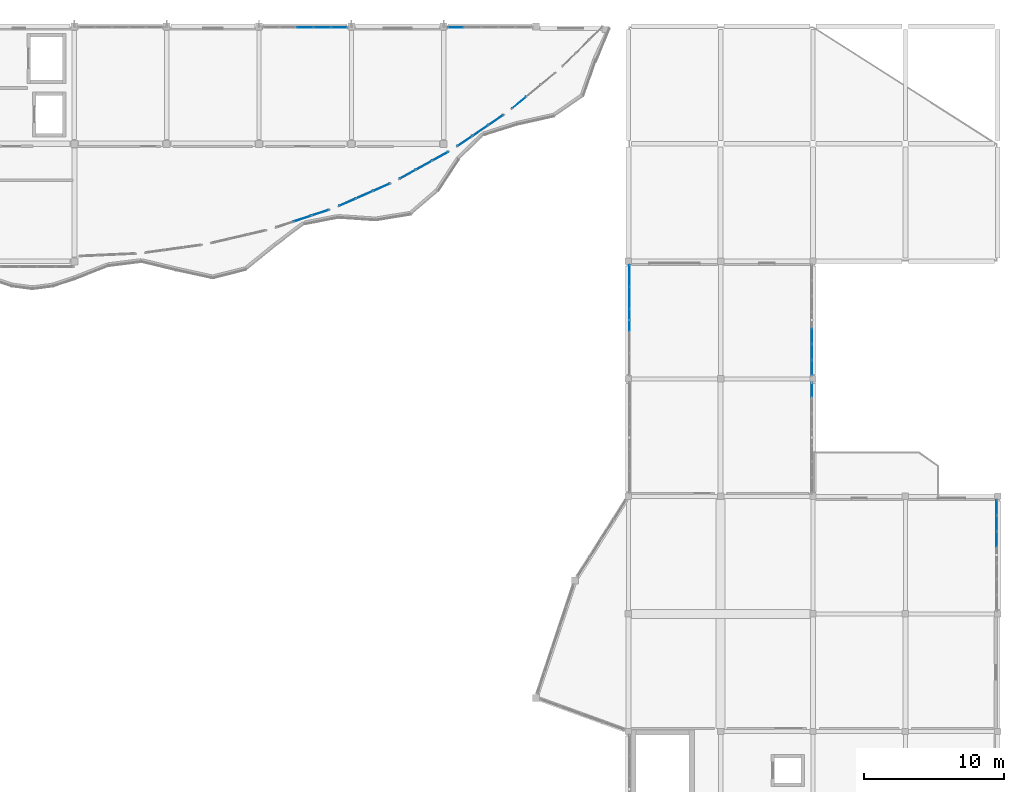
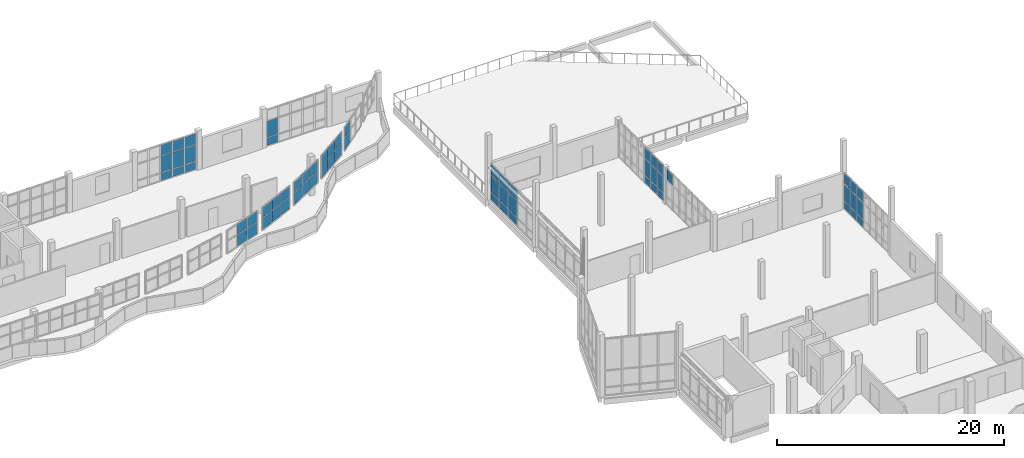
# One storey, part 53 of 78: 63 plates, 11 elements without a shape of their own.
"""IFC4 building model written with IfcOpenShell, lengths in metres."""

from ifc_helpers import new_model, si_unit, direction, frame, origin, origin_2d, place, context, subcontext, project, spatial, rectangle, extrude, material, layer, layer_set, type_object, element, aggregate, save


model = new_model("IFC4")

# Units and contexts
model_context = context("Model", 3, precision=1e-05, world=origin(), true_north=direction((0.0, 1.0)))
body_context = subcontext(model_context, "Body", "Model", "MODEL_VIEW")
ifc_project = project(units=[si_unit("LENGTHUNIT", "METRE"), si_unit("AREAUNIT", "SQUARE_METRE"), si_unit("VOLUMEUNIT", "CUBIC_METRE"), si_unit("PLANEANGLEUNIT", "RADIAN"), si_unit("MASSUNIT", "GRAM", prefix="KILO")], contexts=[model_context])

# Site, building, storey
site_placement = place(None, origin())
site = spatial("IfcSite", under=ifc_project, at=site_placement, CompositionType="ELEMENT")
building_placement = place(site_placement, origin())
building = spatial("IfcBuilding", under=site, at=building_placement, Name="Qaldarim Faculty of Natural and Applied Sciences", CompositionType="ELEMENT")
storey_placement = place(building_placement, frame((0.0, 0.0, 18.60009765625)))
storey = spatial("IfcBuildingStorey", under=building, at=storey_placement, Name="L04", CompositionType="ELEMENT", Elevation=18.60009765625)

# Curtain wall, plates
ifc_material_1 = material(Name="Anodised aluminium AW-6063", Category="aluminium")
curtain_wall_type_1 = type_object("IfcCurtainWallType", Name="CurtainWallSystem-M1200", PredefinedType="USERDEFINED", material=ifc_material_1)
curtain_wall_1_placement = place(storey_placement, origin())
curtain_wall_1 = element("IfcCurtainWall", 1, at=curtain_wall_1_placement, inside=storey, type_object=curtain_wall_type_1, Name="Curtain wall CW-L04-N-X20Y14", ObjectType="STICK CURTAIN WALL", PredefinedType="USERDEFINED")
ifc_material_2 = material(Name="Insulated low-e double glazing", Category="glass")
ifc_layer_1 = layer(ifc_material_2, 0.031982421875)
ifc_layer_set_1 = layer_set([ifc_layer_1], Name="Insulated low-e double glazing")
plate_type_1 = type_object("IfcPlateType", Name="SolarControlGlazingPanel-32", PredefinedType="CURTAIN_PANEL", material=ifc_layer_set_1)
plate_1_placement = place(storey_placement, frame((131.12646484375, 117.52001953125, 0.06982421875), z_axis=(0.0, 0.0, 1.0), x_axis=(-1.0, 0.0, 0.0)))
plate_1 = element("IfcPlate", 2, at=plate_1_placement, type_object=plate_type_1, Name="Glazed panel 1-1 of CW-L04-N-X20Y14", PredefinedType="CURTAIN_PANEL", context=body_context, shape_type="SweptSolid", body=[
    extrude(rectangle(XDim=1.116943359375, YDim=0.031982421875, at=origin_2d()), origin(), (0.0, 0.0, 1.0), 0.794921875),
])
plate_2_placement = place(storey_placement, frame((131.12646484375, 117.52001953125, 0.934814453125), z_axis=(0.0, 0.0, 1.0), x_axis=(-1.0, 0.0, 0.0)))
plate_2 = element("IfcPlate", 3, at=plate_2_placement, type_object=plate_type_1, Name="Glazed panel 1-2 of CW-L04-N-X20Y14", PredefinedType="CURTAIN_PANEL", context=body_context, shape_type="SweptSolid", body=[
    extrude(rectangle(XDim=1.116943359375, YDim=0.031982421875, at=origin_2d()), origin(), (0.0, 0.0, 1.0), 1.72998046875),
])
plate_3_placement = place(storey_placement, frame((131.12646484375, 117.52001953125, 2.73486328125), z_axis=(0.0, 0.0, 1.0), x_axis=(-1.0, 0.0, 0.0)))
plate_3 = element("IfcPlate", 4, at=plate_3_placement, type_object=plate_type_1, Name="Glazed panel 1-3 of CW-L04-N-X20Y14", PredefinedType="CURTAIN_PANEL", context=body_context, shape_type="SweptSolid", body=[
    extrude(rectangle(XDim=1.116943359375, YDim=0.031982421875, at=origin_2d()), origin(), (0.0, 0.0, 1.0), 1.135009765625),
])
plate_4_placement = place(storey_placement, frame((129.922119140625, 117.52001953125, 0.06982421875), z_axis=(0.0, 0.0, 1.0), x_axis=(-1.0, 0.0, 0.0)))
plate_4 = element("IfcPlate", 5, at=plate_4_placement, type_object=plate_type_1, Name="Glazed panel 2-1 of CW-L04-N-X20Y14", PredefinedType="CURTAIN_PANEL", context=body_context, shape_type="SweptSolid", body=[
    extrude(rectangle(XDim=1.152099609375, YDim=0.031982421875, at=origin_2d()), origin(), (0.0, 0.0, 1.0), 0.794921875),
])
plate_5_placement = place(storey_placement, frame((129.922119140625, 117.52001953125, 0.934814453125), z_axis=(0.0, 0.0, 1.0), x_axis=(-1.0, 0.0, 0.0)))
plate_5 = element("IfcPlate", 6, at=plate_5_placement, type_object=plate_type_1, Name="Glazed panel 2-2 of CW-L04-N-X20Y14", PredefinedType="CURTAIN_PANEL", context=body_context, shape_type="SweptSolid", body=[
    extrude(rectangle(XDim=1.152099609375, YDim=0.031982421875, at=origin_2d()), origin(), (0.0, 0.0, 1.0), 1.72998046875),
])
plate_6_placement = place(storey_placement, frame((129.922119140625, 117.52001953125, 2.73486328125), z_axis=(0.0, 0.0, 1.0), x_axis=(-1.0, 0.0, 0.0)))
plate_6 = element("IfcPlate", 7, at=plate_6_placement, type_object=plate_type_1, Name="Glazed panel 2-3 of CW-L04-N-X20Y14", PredefinedType="CURTAIN_PANEL", context=body_context, shape_type="SweptSolid", body=[
    extrude(rectangle(XDim=1.152099609375, YDim=0.031982421875, at=origin_2d()), origin(), (0.0, 0.0, 1.0), 1.135009765625),
])
plate_7_placement = place(storey_placement, frame((128.699951171875, 117.52001953125, 0.06982421875), z_axis=(0.0, 0.0, 1.0), x_axis=(-1.0, 0.0, 0.0)))
plate_7 = element("IfcPlate", 8, at=plate_7_placement, type_object=plate_type_1, Name="Glazed panel 3-1 of CW-L04-N-X20Y14", PredefinedType="CURTAIN_PANEL", context=body_context, shape_type="SweptSolid", body=[
    extrude(rectangle(XDim=1.152099609375, YDim=0.031982421875, at=origin_2d()), origin(), (0.0, 0.0, 1.0), 0.794921875),
])
plate_8_placement = place(storey_placement, frame((128.699951171875, 117.52001953125, 0.934814453125), z_axis=(0.0, 0.0, 1.0), x_axis=(-1.0, 0.0, 0.0)))
plate_8 = element("IfcPlate", 9, at=plate_8_placement, type_object=plate_type_1, Name="Glazed panel 3-2 of CW-L04-N-X20Y14", PredefinedType="CURTAIN_PANEL", context=body_context, shape_type="SweptSolid", body=[
    extrude(rectangle(XDim=1.152099609375, YDim=0.031982421875, at=origin_2d()), origin(), (0.0, 0.0, 1.0), 1.72998046875),
])
plate_9_placement = place(storey_placement, frame((128.699951171875, 117.52001953125, 2.73486328125), z_axis=(0.0, 0.0, 1.0), x_axis=(-1.0, 0.0, 0.0)))
plate_9 = element("IfcPlate", 10, at=plate_9_placement, type_object=plate_type_1, Name="Glazed panel 3-3 of CW-L04-N-X20Y14", PredefinedType="CURTAIN_PANEL", context=body_context, shape_type="SweptSolid", body=[
    extrude(rectangle(XDim=1.152099609375, YDim=0.031982421875, at=origin_2d()), origin(), (0.0, 0.0, 1.0), 1.135009765625),
])
aggregate(curtain_wall_1, [plate_1, plate_2, plate_3, plate_4, plate_5, plate_6, plate_7, plate_8, plate_9])

curtain_wall_2_placement = place(storey_placement, origin())
curtain_wall_2 = element("IfcCurtainWall", 11, at=curtain_wall_2_placement, inside=storey, type_object=curtain_wall_type_1, Name="Curtain wall CW-L04-N-X22Y14", ObjectType="STICK CURTAIN WALL", PredefinedType="USERDEFINED")
plate_10_placement = place(storey_placement, frame((139.473388671875, 117.52001953125, 0.06982421875), z_axis=(0.0, 0.0, 1.0), x_axis=(-1.0, 0.0, 0.0)))
plate_10 = element("IfcPlate", 12, at=plate_10_placement, type_object=plate_type_1, Name="Glazed panel 5-1 of CW-L04-N-X22Y14", PredefinedType="CURTAIN_PANEL", context=body_context, shape_type="SweptSolid", body=[
    extrude(rectangle(XDim=1.116943359375, YDim=0.031982421875, at=origin_2d()), origin(), (0.0, 0.0, 1.0), 0.794921875),
])
plate_11_placement = place(storey_placement, frame((139.473388671875, 117.52001953125, 0.934814453125), z_axis=(0.0, 0.0, 1.0), x_axis=(-1.0, 0.0, 0.0)))
plate_11 = element("IfcPlate", 13, at=plate_11_placement, type_object=plate_type_1, Name="Glazed panel 5-2 of CW-L04-N-X22Y14", PredefinedType="CURTAIN_PANEL", context=body_context, shape_type="SweptSolid", body=[
    extrude(rectangle(XDim=1.116943359375, YDim=0.031982421875, at=origin_2d()), origin(), (0.0, 0.0, 1.0), 1.72998046875),
])
aggregate(curtain_wall_2, [plate_10, plate_11])

# Curtain wall, plate
curtain_wall_3_placement = place(storey_placement, origin())
curtain_wall_3 = element("IfcCurtainWall", 14, at=curtain_wall_3_placement, inside=storey, type_object=curtain_wall_type_1, Name="Curtain wall CW-L04-E-X25Y11", ObjectType="STICK CURTAIN WALL", PredefinedType="USERDEFINED")
plate_12_placement = place(storey_placement, frame((164.919921875, 91.593994140625, 2.73486328125), z_axis=(0.0, 0.0, 1.0), x_axis=(0.0, 1.0, 0.0)))
plate_12 = element("IfcPlate", 15, at=plate_12_placement, type_object=plate_type_1, Name="Glazed panel 7-3 of CW-L04-E-X25Y11", PredefinedType="CURTAIN_PANEL", context=body_context, shape_type="SweptSolid", body=[
    extrude(rectangle(XDim=1.031982421875, YDim=0.031982421875, at=origin_2d()), origin(), (0.0, 0.0, 1.0), 1.135009765625),
])
aggregate(curtain_wall_3, [plate_12])

# Curtain wall, plates
curtain_wall_4_placement = place(storey_placement, origin())
curtain_wall_4 = element("IfcCurtainWall", 16, at=curtain_wall_4_placement, inside=storey, type_object=curtain_wall_type_1, Name="Curtain wall CW-L04-E-X25Y12", ObjectType="STICK CURTAIN WALL", PredefinedType="USERDEFINED")
plate_13_placement = place(storey_placement, frame((164.919921875, 93.2060546875, 0.06982421875), z_axis=(0.0, 0.0, 1.0), x_axis=(0.0, 1.0, 0.0)))
plate_13 = element("IfcPlate", 17, at=plate_13_placement, type_object=plate_type_1, Name="Glazed panel 1-1 of CW-L04-E-X25Y12", PredefinedType="CURTAIN_PANEL", context=body_context, shape_type="SweptSolid", body=[
    extrude(rectangle(XDim=1.031982421875, YDim=0.031982421875, at=origin_2d()), origin(), (0.0, 0.0, 1.0), 0.794921875),
])
plate_14_placement = place(storey_placement, frame((164.919921875, 93.2060546875, 0.934814453125), z_axis=(0.0, 0.0, 1.0), x_axis=(0.0, 1.0, 0.0)))
plate_14 = element("IfcPlate", 18, at=plate_14_placement, type_object=plate_type_1, Name="Glazed panel 1-2 of CW-L04-E-X25Y12", PredefinedType="CURTAIN_PANEL", context=body_context, shape_type="SweptSolid", body=[
    extrude(rectangle(XDim=1.031982421875, YDim=0.031982421875, at=origin_2d()), origin(), (0.0, 0.0, 1.0), 1.72998046875),
])
plate_15_placement = place(storey_placement, frame((164.919921875, 93.2060546875, 2.73486328125), z_axis=(0.0, 0.0, 1.0), x_axis=(0.0, 1.0, 0.0)))
plate_15 = element("IfcPlate", 19, at=plate_15_placement, type_object=plate_type_1, Name="Glazed panel 1-3 of CW-L04-E-X25Y12", PredefinedType="CURTAIN_PANEL", context=body_context, shape_type="SweptSolid", body=[
    extrude(rectangle(XDim=1.031982421875, YDim=0.031982421875, at=origin_2d()), origin(), (0.0, 0.0, 1.0), 1.135009765625),
])
plate_16_placement = place(storey_placement, frame((164.919921875, 94.32568359375, 0.06982421875), z_axis=(0.0, 0.0, 1.0), x_axis=(0.0, 1.0, 0.0)))
plate_16 = element("IfcPlate", 20, at=plate_16_placement, type_object=plate_type_1, Name="Glazed panel 2-1 of CW-L04-E-X25Y12", PredefinedType="CURTAIN_PANEL", context=body_context, shape_type="SweptSolid", body=[
    extrude(rectangle(XDim=1.067138671875, YDim=0.031982421875, at=origin_2d()), origin(), (0.0, 0.0, 1.0), 0.794921875),
])
plate_17_placement = place(storey_placement, frame((164.919921875, 94.32568359375, 0.934814453125), z_axis=(0.0, 0.0, 1.0), x_axis=(0.0, 1.0, 0.0)))
plate_17 = element("IfcPlate", 21, at=plate_17_placement, type_object=plate_type_1, Name="Glazed panel 2-2 of CW-L04-E-X25Y12", PredefinedType="CURTAIN_PANEL", context=body_context, shape_type="SweptSolid", body=[
    extrude(rectangle(XDim=1.067138671875, YDim=0.031982421875, at=origin_2d()), origin(), (0.0, 0.0, 1.0), 1.72998046875),
])
plate_18_placement = place(storey_placement, frame((164.919921875, 94.32568359375, 2.73486328125), z_axis=(0.0, 0.0, 1.0), x_axis=(0.0, 1.0, 0.0)))
plate_18 = element("IfcPlate", 22, at=plate_18_placement, type_object=plate_type_1, Name="Glazed panel 2-3 of CW-L04-E-X25Y12", PredefinedType="CURTAIN_PANEL", context=body_context, shape_type="SweptSolid", body=[
    extrude(rectangle(XDim=1.067138671875, YDim=0.031982421875, at=origin_2d()), origin(), (0.0, 0.0, 1.0), 1.135009765625),
])
plate_19_placement = place(storey_placement, frame((164.919921875, 95.462890625, 0.06982421875), z_axis=(0.0, 0.0, 1.0), x_axis=(0.0, 1.0, 0.0)))
plate_19 = element("IfcPlate", 23, at=plate_19_placement, type_object=plate_type_1, Name="Glazed panel 3-1 of CW-L04-E-X25Y12", PredefinedType="CURTAIN_PANEL", context=body_context, shape_type="SweptSolid", body=[
    extrude(rectangle(XDim=1.067138671875, YDim=0.031982421875, at=origin_2d()), origin(), (0.0, 0.0, 1.0), 0.794921875),
])
plate_20_placement = place(storey_placement, frame((164.919921875, 95.462890625, 0.934814453125), z_axis=(0.0, 0.0, 1.0), x_axis=(0.0, 1.0, 0.0)))
plate_20 = element("IfcPlate", 24, at=plate_20_placement, type_object=plate_type_1, Name="Glazed panel 3-2 of CW-L04-E-X25Y12", PredefinedType="CURTAIN_PANEL", context=body_context, shape_type="SweptSolid", body=[
    extrude(rectangle(XDim=1.067138671875, YDim=0.031982421875, at=origin_2d()), origin(), (0.0, 0.0, 1.0), 1.72998046875),
])
plate_21_placement = place(storey_placement, frame((164.919921875, 95.462890625, 2.73486328125), z_axis=(0.0, 0.0, 1.0), x_axis=(0.0, 1.0, 0.0)))
plate_21 = element("IfcPlate", 25, at=plate_21_placement, type_object=plate_type_1, Name="Glazed panel 3-3 of CW-L04-E-X25Y12", PredefinedType="CURTAIN_PANEL", context=body_context, shape_type="SweptSolid", body=[
    extrude(rectangle(XDim=1.067138671875, YDim=0.031982421875, at=origin_2d()), origin(), (0.0, 0.0, 1.0), 1.135009765625),
])
aggregate(curtain_wall_4, [plate_13, plate_14, plate_15, plate_16, plate_17, plate_18, plate_19, plate_20, plate_21])

curtain_wall_5_placement = place(storey_placement, origin())
curtain_wall_5 = element("IfcCurtainWall", 26, at=curtain_wall_5_placement, inside=storey, type_object=curtain_wall_type_1, Name="Curtain wall CW-L04-E-X27Y10", ObjectType="STICK CURTAIN WALL", PredefinedType="USERDEFINED")
plate_22_placement = place(storey_placement, frame((178.1201171875, 80.93701171875, 0.06982421875), z_axis=(0.0, 0.0, 1.0), x_axis=(0.0, 1.0, 0.0)))
plate_22 = element("IfcPlate", 27, at=plate_22_placement, type_object=plate_type_1, Name="Glazed panel 5-1 of CW-L04-E-X27Y10", PredefinedType="CURTAIN_PANEL", context=body_context, shape_type="SweptSolid", body=[
    extrude(rectangle(XDim=1.067138671875, YDim=0.031982421875, at=origin_2d()), origin(), (0.0, 0.0, 1.0), 0.794921875),
])
plate_23_placement = place(storey_placement, frame((178.1201171875, 80.93701171875, 0.934814453125), z_axis=(0.0, 0.0, 1.0), x_axis=(0.0, 1.0, 0.0)))
plate_23 = element("IfcPlate", 28, at=plate_23_placement, type_object=plate_type_1, Name="Glazed panel 5-2 of CW-L04-E-X27Y10", PredefinedType="CURTAIN_PANEL", context=body_context, shape_type="SweptSolid", body=[
    extrude(rectangle(XDim=1.067138671875, YDim=0.031982421875, at=origin_2d()), origin(), (0.0, 0.0, 1.0), 1.72998046875),
])
plate_24_placement = place(storey_placement, frame((178.1201171875, 80.93701171875, 2.73486328125), z_axis=(0.0, 0.0, 1.0), x_axis=(0.0, 1.0, 0.0)))
plate_24 = element("IfcPlate", 29, at=plate_24_placement, type_object=plate_type_1, Name="Glazed panel 5-3 of CW-L04-E-X27Y10", PredefinedType="CURTAIN_PANEL", context=body_context, shape_type="SweptSolid", body=[
    extrude(rectangle(XDim=1.067138671875, YDim=0.031982421875, at=origin_2d()), origin(), (0.0, 0.0, 1.0), 1.135009765625),
])
plate_25_placement = place(storey_placement, frame((178.1201171875, 82.07421875, 0.06982421875), z_axis=(0.0, 0.0, 1.0), x_axis=(0.0, 1.0, 0.0)))
plate_25 = element("IfcPlate", 30, at=plate_25_placement, type_object=plate_type_1, Name="Glazed panel 6-1 of CW-L04-E-X27Y10", PredefinedType="CURTAIN_PANEL", context=body_context, shape_type="SweptSolid", body=[
    extrude(rectangle(XDim=1.067138671875, YDim=0.031982421875, at=origin_2d()), origin(), (0.0, 0.0, 1.0), 0.794921875),
])
plate_26_placement = place(storey_placement, frame((178.1201171875, 82.07421875, 0.934814453125), z_axis=(0.0, 0.0, 1.0), x_axis=(0.0, 1.0, 0.0)))
plate_26 = element("IfcPlate", 31, at=plate_26_placement, type_object=plate_type_1, Name="Glazed panel 6-2 of CW-L04-E-X27Y10", PredefinedType="CURTAIN_PANEL", context=body_context, shape_type="SweptSolid", body=[
    extrude(rectangle(XDim=1.067138671875, YDim=0.031982421875, at=origin_2d()), origin(), (0.0, 0.0, 1.0), 1.72998046875),
])
plate_27_placement = place(storey_placement, frame((178.1201171875, 82.07421875, 2.73486328125), z_axis=(0.0, 0.0, 1.0), x_axis=(0.0, 1.0, 0.0)))
plate_27 = element("IfcPlate", 32, at=plate_27_placement, type_object=plate_type_1, Name="Glazed panel 6-3 of CW-L04-E-X27Y10", PredefinedType="CURTAIN_PANEL", context=body_context, shape_type="SweptSolid", body=[
    extrude(rectangle(XDim=1.067138671875, YDim=0.031982421875, at=origin_2d()), origin(), (0.0, 0.0, 1.0), 1.135009765625),
])
plate_28_placement = place(storey_placement, frame((178.1201171875, 83.19384765625, 0.06982421875), z_axis=(0.0, 0.0, 1.0), x_axis=(0.0, 1.0, 0.0)))
plate_28 = element("IfcPlate", 33, at=plate_28_placement, type_object=plate_type_1, Name="Glazed panel 7-1 of CW-L04-E-X27Y10", PredefinedType="CURTAIN_PANEL", context=body_context, shape_type="SweptSolid", body=[
    extrude(rectangle(XDim=1.031982421875, YDim=0.031982421875, at=origin_2d()), origin(), (0.0, 0.0, 1.0), 0.794921875),
])
plate_29_placement = place(storey_placement, frame((178.1201171875, 83.19384765625, 0.934814453125), z_axis=(0.0, 0.0, 1.0), x_axis=(0.0, 1.0, 0.0)))
plate_29 = element("IfcPlate", 34, at=plate_29_placement, type_object=plate_type_1, Name="Glazed panel 7-2 of CW-L04-E-X27Y10", PredefinedType="CURTAIN_PANEL", context=body_context, shape_type="SweptSolid", body=[
    extrude(rectangle(XDim=1.031982421875, YDim=0.031982421875, at=origin_2d()), origin(), (0.0, 0.0, 1.0), 1.72998046875),
])
plate_30_placement = place(storey_placement, frame((178.1201171875, 83.19384765625, 2.73486328125), z_axis=(0.0, 0.0, 1.0), x_axis=(0.0, 1.0, 0.0)))
plate_30 = element("IfcPlate", 35, at=plate_30_placement, type_object=plate_type_1, Name="Glazed panel 7-3 of CW-L04-E-X27Y10", PredefinedType="CURTAIN_PANEL", context=body_context, shape_type="SweptSolid", body=[
    extrude(rectangle(XDim=1.031982421875, YDim=0.031982421875, at=origin_2d()), origin(), (0.0, 0.0, 1.0), 1.135009765625),
])
aggregate(curtain_wall_5, [plate_22, plate_23, plate_24, plate_25, plate_26, plate_27, plate_28, plate_29, plate_30])

curtain_wall_type_2 = type_object("IfcCurtainWallType", Name="CurtainWallSystem-M1600", PredefinedType="USERDEFINED", material=ifc_material_1)
curtain_wall_6_placement = place(storey_placement, origin())
curtain_wall_6 = element("IfcCurtainWall", 36, at=curtain_wall_6_placement, inside=storey, type_object=curtain_wall_type_2, Name="Curtain wall CW-L04-W-X24Y12", ObjectType="UNITISED FACADE", PredefinedType="USERDEFINED")
ifc_layer_2 = layer(ifc_material_2, 0.028076171875)
ifc_layer_set_2 = layer_set([ifc_layer_2], Name="Insulated low-e double glazing")
plate_type_2 = type_object("IfcPlateType", Name="VisionGlazingPanel-28", PredefinedType="CURTAIN_PANEL", material=ifc_layer_set_2)
plate_31_placement = place(storey_placement, frame((151.8798828125, 99.76904296875, 0.059814453125), z_axis=(0.0, 0.0, 1.0), x_axis=(0.0, -1.0, 0.0)))
plate_31 = element("IfcPlate", 37, at=plate_31_placement, type_object=plate_type_2, Name="Glazed panel 1-1 of CW-L04-W-X24Y12", PredefinedType="CURTAIN_PANEL", context=body_context, shape_type="SweptSolid", body=[
    extrude(rectangle(XDim=1.501953125, YDim=0.028076171875, at=origin_2d()), origin(), (0.0, 0.0, 1.0), 0.81005859375),
])
plate_32_placement = place(storey_placement, frame((151.8798828125, 99.76904296875, 0.9296875), z_axis=(0.0, 0.0, 1.0), x_axis=(0.0, -1.0, 0.0)))
plate_32 = element("IfcPlate", 38, at=plate_32_placement, type_object=plate_type_2, Name="Glazed panel 1-2 of CW-L04-W-X24Y12", PredefinedType="CURTAIN_PANEL", context=body_context, shape_type="SweptSolid", body=[
    extrude(rectangle(XDim=1.501953125, YDim=0.028076171875, at=origin_2d()), origin(), (0.0, 0.0, 1.0), 1.739990234375),
])
plate_33_placement = place(storey_placement, frame((151.8798828125, 99.76904296875, 2.72998046875), z_axis=(0.0, 0.0, 1.0), x_axis=(0.0, -1.0, 0.0)))
plate_33 = element("IfcPlate", 39, at=plate_33_placement, type_object=plate_type_2, Name="Glazed panel 1-3 of CW-L04-W-X24Y12", PredefinedType="CURTAIN_PANEL", context=body_context, shape_type="SweptSolid", body=[
    extrude(rectangle(XDim=1.501953125, YDim=0.028076171875, at=origin_2d()), origin(), (0.0, 0.0, 1.0), 1.14990234375),
])
plate_34_placement = place(storey_placement, frame((151.8798828125, 98.19189453125, 0.059814453125), z_axis=(0.0, 0.0, 1.0), x_axis=(0.0, -1.0, 0.0)))
plate_34 = element("IfcPlate", 40, at=plate_34_placement, type_object=plate_type_2, Name="Glazed panel 2-1 of CW-L04-W-X24Y12", PredefinedType="CURTAIN_PANEL", context=body_context, shape_type="SweptSolid", body=[
    extrude(rectangle(XDim=1.531982421875, YDim=0.028076171875, at=origin_2d()), origin(), (0.0, 0.0, 1.0), 0.81005859375),
])
plate_35_placement = place(storey_placement, frame((151.8798828125, 98.19189453125, 0.9296875), z_axis=(0.0, 0.0, 1.0), x_axis=(0.0, -1.0, 0.0)))
plate_35 = element("IfcPlate", 41, at=plate_35_placement, type_object=plate_type_2, Name="Glazed panel 2-2 of CW-L04-W-X24Y12", PredefinedType="CURTAIN_PANEL", context=body_context, shape_type="SweptSolid", body=[
    extrude(rectangle(XDim=1.531982421875, YDim=0.028076171875, at=origin_2d()), origin(), (0.0, 0.0, 1.0), 1.739990234375),
])
plate_36_placement = place(storey_placement, frame((151.8798828125, 98.19189453125, 2.72998046875), z_axis=(0.0, 0.0, 1.0), x_axis=(0.0, -1.0, 0.0)))
plate_36 = element("IfcPlate", 42, at=plate_36_placement, type_object=plate_type_2, Name="Glazed panel 2-3 of CW-L04-W-X24Y12", PredefinedType="CURTAIN_PANEL", context=body_context, shape_type="SweptSolid", body=[
    extrude(rectangle(XDim=1.531982421875, YDim=0.028076171875, at=origin_2d()), origin(), (0.0, 0.0, 1.0), 1.14990234375),
])
plate_37_placement = place(storey_placement, frame((151.8798828125, 96.60009765625, 0.059814453125), z_axis=(0.0, 0.0, 1.0), x_axis=(0.0, -1.0, 0.0)))
plate_37 = element("IfcPlate", 43, at=plate_37_placement, type_object=plate_type_2, Name="Glazed panel 3-1 of CW-L04-W-X24Y12", PredefinedType="CURTAIN_PANEL", context=body_context, shape_type="SweptSolid", body=[
    extrude(rectangle(XDim=1.531982421875, YDim=0.028076171875, at=origin_2d()), origin(), (0.0, 0.0, 1.0), 0.81005859375),
])
plate_38_placement = place(storey_placement, frame((151.8798828125, 96.60009765625, 0.9296875), z_axis=(0.0, 0.0, 1.0), x_axis=(0.0, -1.0, 0.0)))
plate_38 = element("IfcPlate", 44, at=plate_38_placement, type_object=plate_type_2, Name="Glazed panel 3-2 of CW-L04-W-X24Y12", PredefinedType="CURTAIN_PANEL", context=body_context, shape_type="SweptSolid", body=[
    extrude(rectangle(XDim=1.531982421875, YDim=0.028076171875, at=origin_2d()), origin(), (0.0, 0.0, 1.0), 1.739990234375),
])
plate_39_placement = place(storey_placement, frame((151.8798828125, 96.60009765625, 2.72998046875), z_axis=(0.0, 0.0, 1.0), x_axis=(0.0, -1.0, 0.0)))
plate_39 = element("IfcPlate", 45, at=plate_39_placement, type_object=plate_type_2, Name="Glazed panel 3-3 of CW-L04-W-X24Y12", PredefinedType="CURTAIN_PANEL", context=body_context, shape_type="SweptSolid", body=[
    extrude(rectangle(XDim=1.531982421875, YDim=0.028076171875, at=origin_2d()), origin(), (0.0, 0.0, 1.0), 1.14990234375),
])
aggregate(curtain_wall_6, [plate_31, plate_32, plate_33, plate_34, plate_35, plate_36, plate_37, plate_38, plate_39])

curtain_wall_type_3 = type_object("IfcCurtainWallType", Name="CurtainWallSystem-M1400", PredefinedType="USERDEFINED", material=ifc_material_1)
curtain_wall_7_placement = place(storey_placement, origin())
curtain_wall_7 = element("IfcCurtainWall", 46, at=curtain_wall_7_placement, inside=storey, type_object=curtain_wall_type_3, Name="Curtain wall CW-V4ARC-L04-06", ObjectType="STICK CURTAIN WALL", PredefinedType="USERDEFINED")
plate_40_placement = place(storey_placement, frame((128.512451171875, 103.85009765625, 1.509765625), z_axis=(0.0, 0.0, 1.0), x_axis=(0.94856152259, 0.316592858196, 0.0)))
plate_40 = element("IfcPlate", 47, at=plate_40_placement, type_object=plate_type_2, Name="Glazed panel 2-1 of CW-V4ARC-L04-06", PredefinedType="CURTAIN_PANEL", context=body_context, shape_type="SweptSolid", body=[
    extrude(rectangle(XDim=1.28759765625, YDim=0.028076171875, at=origin_2d()), origin(), (0.0, 0.0, 1.0), 1.260009765625),
])
plate_41_placement = place(storey_placement, frame((128.512451171875, 103.85009765625, 2.830078125), z_axis=(0.0, 0.0, 1.0), x_axis=(0.94856152259, 0.316592858196, 0.0)))
plate_41 = element("IfcPlate", 48, at=plate_41_placement, type_object=plate_type_2, Name="Glazed panel 2-2 of CW-V4ARC-L04-06", PredefinedType="CURTAIN_PANEL", context=body_context, shape_type="SweptSolid", body=[
    extrude(rectangle(XDim=1.28759765625, YDim=0.028076171875, at=origin_2d()), origin(), (0.0, 0.0, 1.0), 1.050048828125),
])
plate_42_placement = place(storey_placement, frame((129.776611328125, 104.27197265625, 1.509765625), z_axis=(0.0, 0.0, 1.0), x_axis=(0.94856152259, 0.316592858196, 0.0)))
plate_42 = element("IfcPlate", 49, at=plate_42_placement, type_object=plate_type_2, Name="Glazed panel 3-1 of CW-V4ARC-L04-06", PredefinedType="CURTAIN_PANEL", context=body_context, shape_type="SweptSolid", body=[
    extrude(rectangle(XDim=1.2578125, YDim=0.028076171875, at=origin_2d()), origin(), (0.0, 0.0, 1.0), 1.260009765625),
])
plate_43_placement = place(storey_placement, frame((129.776611328125, 104.27197265625, 2.830078125), z_axis=(0.0, 0.0, 1.0), x_axis=(0.94856152259, 0.316592858196, 0.0)))
plate_43 = element("IfcPlate", 50, at=plate_43_placement, type_object=plate_type_2, Name="Glazed panel 3-2 of CW-V4ARC-L04-06", PredefinedType="CURTAIN_PANEL", context=body_context, shape_type="SweptSolid", body=[
    extrude(rectangle(XDim=1.2578125, YDim=0.028076171875, at=origin_2d()), origin(), (0.0, 0.0, 1.0), 1.050048828125),
])
aggregate(curtain_wall_7, [plate_40, plate_41, plate_42, plate_43])

curtain_wall_8_placement = place(storey_placement, origin())
curtain_wall_8 = element("IfcCurtainWall", 51, at=curtain_wall_8_placement, inside=storey, type_object=curtain_wall_type_3, Name="Curtain wall CW-V4ARC-L04-08", ObjectType="STICK CURTAIN WALL", PredefinedType="USERDEFINED")
plate_44_placement = place(storey_placement, frame((131.71630859375, 105.017578125, 1.509765625), z_axis=(0.0, 0.0, 1.0), x_axis=(0.915332565632, 0.40269876371, 0.0)))
plate_44 = element("IfcPlate", 52, at=plate_44_placement, type_object=plate_type_2, Name="Glazed panel 1-1 of CW-V4ARC-L04-08", PredefinedType="CURTAIN_PANEL", context=body_context, shape_type="SweptSolid", body=[
    extrude(rectangle(XDim=1.25927734375, YDim=0.028076171875, at=origin_2d()), origin(), (0.0, 0.0, 1.0), 1.260009765625),
])
plate_45_placement = place(storey_placement, frame((131.71630859375, 105.017578125, 2.830078125), z_axis=(0.0, 0.0, 1.0), x_axis=(0.915332565632, 0.40269876371, 0.0)))
plate_45 = element("IfcPlate", 53, at=plate_45_placement, type_object=plate_type_2, Name="Glazed panel 1-2 of CW-V4ARC-L04-08", PredefinedType="CURTAIN_PANEL", context=body_context, shape_type="SweptSolid", body=[
    extrude(rectangle(XDim=1.25927734375, YDim=0.028076171875, at=origin_2d()), origin(), (0.0, 0.0, 1.0), 1.050048828125),
])
plate_46_placement = place(storey_placement, frame((132.9375, 105.554931640625, 1.509765625), z_axis=(0.0, 0.0, 1.0), x_axis=(0.915332565632, 0.40269876371, 0.0)))
plate_46 = element("IfcPlate", 54, at=plate_46_placement, type_object=plate_type_2, Name="Glazed panel 2-1 of CW-V4ARC-L04-08", PredefinedType="CURTAIN_PANEL", context=body_context, shape_type="SweptSolid", body=[
    extrude(rectangle(XDim=1.289306640625, YDim=0.028076171875, at=origin_2d()), origin(), (0.0, 0.0, 1.0), 1.260009765625),
])
plate_47_placement = place(storey_placement, frame((132.9375, 105.554931640625, 2.830078125), z_axis=(0.0, 0.0, 1.0), x_axis=(0.915332565632, 0.40269876371, 0.0)))
plate_47 = element("IfcPlate", 55, at=plate_47_placement, type_object=plate_type_2, Name="Glazed panel 2-2 of CW-V4ARC-L04-08", PredefinedType="CURTAIN_PANEL", context=body_context, shape_type="SweptSolid", body=[
    extrude(rectangle(XDim=1.289306640625, YDim=0.028076171875, at=origin_2d()), origin(), (0.0, 0.0, 1.0), 1.050048828125),
])
plate_48_placement = place(storey_placement, frame((134.15869140625, 106.09228515625, 1.509765625), z_axis=(0.0, 0.0, 1.0), x_axis=(0.915332565632, 0.40269876371, 0.0)))
plate_48 = element("IfcPlate", 56, at=plate_48_placement, type_object=plate_type_2, Name="Glazed panel 3-1 of CW-V4ARC-L04-08", PredefinedType="CURTAIN_PANEL", context=body_context, shape_type="SweptSolid", body=[
    extrude(rectangle(XDim=1.25927734375, YDim=0.028076171875, at=origin_2d()), origin(), (0.0, 0.0, 1.0), 1.260009765625),
])
plate_49_placement = place(storey_placement, frame((134.15869140625, 106.09228515625, 2.830078125), z_axis=(0.0, 0.0, 1.0), x_axis=(0.915332565632, 0.40269876371, 0.0)))
plate_49 = element("IfcPlate", 57, at=plate_49_placement, type_object=plate_type_2, Name="Glazed panel 3-2 of CW-V4ARC-L04-08", PredefinedType="CURTAIN_PANEL", context=body_context, shape_type="SweptSolid", body=[
    extrude(rectangle(XDim=1.25927734375, YDim=0.028076171875, at=origin_2d()), origin(), (0.0, 0.0, 1.0), 1.050048828125),
])
aggregate(curtain_wall_8, [plate_44, plate_45, plate_46, plate_47, plate_48, plate_49])

curtain_wall_9_placement = place(storey_placement, origin())
curtain_wall_9 = element("IfcCurtainWall", 58, at=curtain_wall_9_placement, inside=storey, type_object=curtain_wall_type_3, Name="Curtain wall CW-V4ARC-L04-10", ObjectType="STICK CURTAIN WALL", PredefinedType="USERDEFINED")
plate_50_placement = place(storey_placement, frame((136.01806640625, 107.013916015625, 1.509765625), z_axis=(0.0, 0.0, 1.0), x_axis=(0.874856525367, 0.484382142552, 0.0)))
plate_50 = element("IfcPlate", 59, at=plate_50_placement, type_object=plate_type_2, Name="Glazed panel 1-1 of CW-V4ARC-L04-10", PredefinedType="CURTAIN_PANEL", context=body_context, shape_type="SweptSolid", body=[
    extrude(rectangle(XDim=1.2587890625, YDim=0.028076171875, at=origin_2d()), origin(), (0.0, 0.0, 1.0), 1.260009765625),
])
plate_51_placement = place(storey_placement, frame((136.01806640625, 107.013916015625, 2.830078125), z_axis=(0.0, 0.0, 1.0), x_axis=(0.874856525367, 0.484382142552, 0.0)))
plate_51 = element("IfcPlate", 60, at=plate_51_placement, type_object=plate_type_2, Name="Glazed panel 1-2 of CW-V4ARC-L04-10", PredefinedType="CURTAIN_PANEL", context=body_context, shape_type="SweptSolid", body=[
    extrude(rectangle(XDim=1.2587890625, YDim=0.028076171875, at=origin_2d()), origin(), (0.0, 0.0, 1.0), 1.050048828125),
])
plate_52_placement = place(storey_placement, frame((137.18505859375, 107.659912109375, 1.509765625), z_axis=(0.0, 0.0, 1.0), x_axis=(0.874856525367, 0.484382142552, 0.0)))
plate_52 = element("IfcPlate", 61, at=plate_52_placement, type_object=plate_type_2, Name="Glazed panel 2-1 of CW-V4ARC-L04-10", PredefinedType="CURTAIN_PANEL", context=body_context, shape_type="SweptSolid", body=[
    extrude(rectangle(XDim=1.288818359375, YDim=0.028076171875, at=origin_2d()), origin(), (0.0, 0.0, 1.0), 1.260009765625),
])
plate_53_placement = place(storey_placement, frame((137.18505859375, 107.659912109375, 2.830078125), z_axis=(0.0, 0.0, 1.0), x_axis=(0.874856525367, 0.484382142552, 0.0)))
plate_53 = element("IfcPlate", 62, at=plate_53_placement, type_object=plate_type_2, Name="Glazed panel 2-2 of CW-V4ARC-L04-10", PredefinedType="CURTAIN_PANEL", context=body_context, shape_type="SweptSolid", body=[
    extrude(rectangle(XDim=1.288818359375, YDim=0.028076171875, at=origin_2d()), origin(), (0.0, 0.0, 1.0), 1.050048828125),
])
plate_54_placement = place(storey_placement, frame((138.351806640625, 108.30615234375, 1.509765625), z_axis=(0.0, 0.0, 1.0), x_axis=(0.874856525367, 0.484382142552, 0.0)))
plate_54 = element("IfcPlate", 63, at=plate_54_placement, type_object=plate_type_2, Name="Glazed panel 3-1 of CW-V4ARC-L04-10", PredefinedType="CURTAIN_PANEL", context=body_context, shape_type="SweptSolid", body=[
    extrude(rectangle(XDim=1.2587890625, YDim=0.028076171875, at=origin_2d()), origin(), (0.0, 0.0, 1.0), 1.260009765625),
])
plate_55_placement = place(storey_placement, frame((138.351806640625, 108.30615234375, 2.830078125), z_axis=(0.0, 0.0, 1.0), x_axis=(0.874856525367, 0.484382142552, 0.0)))
plate_55 = element("IfcPlate", 64, at=plate_55_placement, type_object=plate_type_2, Name="Glazed panel 3-2 of CW-V4ARC-L04-10", PredefinedType="CURTAIN_PANEL", context=body_context, shape_type="SweptSolid", body=[
    extrude(rectangle(XDim=1.2587890625, YDim=0.028076171875, at=origin_2d()), origin(), (0.0, 0.0, 1.0), 1.050048828125),
])
aggregate(curtain_wall_9, [plate_50, plate_51, plate_52, plate_53, plate_54, plate_55])

curtain_wall_10_placement = place(storey_placement, origin())
curtain_wall_10 = element("IfcCurtainWall", 65, at=curtain_wall_10_placement, inside=storey, type_object=curtain_wall_type_3, Name="Curtain wall CW-V4ARC-L04-12", ObjectType="STICK CURTAIN WALL", PredefinedType="USERDEFINED")
plate_56_placement = place(storey_placement, frame((140.119873046875, 109.392578125, 1.509765625), z_axis=(0.0, 0.0, 1.0), x_axis=(0.826884319778, 0.562372049186, 0.0)))
plate_56 = element("IfcPlate", 66, at=plate_56_placement, type_object=plate_type_2, Name="Glazed panel 1-1 of CW-V4ARC-L04-12", PredefinedType="CURTAIN_PANEL", context=body_context, shape_type="SweptSolid", body=[
    extrude(rectangle(XDim=1.25830078125, YDim=0.028076171875, at=origin_2d()), origin(), (0.0, 0.0, 1.0), 1.260009765625),
])
plate_57_placement = place(storey_placement, frame((140.119873046875, 109.392578125, 2.830078125), z_axis=(0.0, 0.0, 1.0), x_axis=(0.826884319778, 0.562372049186, 0.0)))
plate_57 = element("IfcPlate", 67, at=plate_57_placement, type_object=plate_type_2, Name="Glazed panel 1-2 of CW-V4ARC-L04-12", PredefinedType="CURTAIN_PANEL", context=body_context, shape_type="SweptSolid", body=[
    extrude(rectangle(XDim=1.25830078125, YDim=0.028076171875, at=origin_2d()), origin(), (0.0, 0.0, 1.0), 1.050048828125),
])
plate_58_placement = place(storey_placement, frame((141.222412109375, 110.142578125, 1.509765625), z_axis=(0.0, 0.0, 1.0), x_axis=(0.826884319778, 0.562372049186, 0.0)))
plate_58 = element("IfcPlate", 68, at=plate_58_placement, type_object=plate_type_2, Name="Glazed panel 2-1 of CW-V4ARC-L04-12", PredefinedType="CURTAIN_PANEL", context=body_context, shape_type="SweptSolid", body=[
    extrude(rectangle(XDim=1.288330078125, YDim=0.028076171875, at=origin_2d()), origin(), (0.0, 0.0, 1.0), 1.260009765625),
])
plate_59_placement = place(storey_placement, frame((141.222412109375, 110.142578125, 2.830078125), z_axis=(0.0, 0.0, 1.0), x_axis=(0.826884319778, 0.562372049186, 0.0)))
plate_59 = element("IfcPlate", 69, at=plate_59_placement, type_object=plate_type_2, Name="Glazed panel 2-2 of CW-V4ARC-L04-12", PredefinedType="CURTAIN_PANEL", context=body_context, shape_type="SweptSolid", body=[
    extrude(rectangle(XDim=1.288330078125, YDim=0.028076171875, at=origin_2d()), origin(), (0.0, 0.0, 1.0), 1.050048828125),
])
plate_60_placement = place(storey_placement, frame((142.3251953125, 110.892333984375, 1.509765625), z_axis=(0.0, 0.0, 1.0), x_axis=(0.826884319778, 0.562372049186, 0.0)))
plate_60 = element("IfcPlate", 70, at=plate_60_placement, type_object=plate_type_2, Name="Glazed panel 3-1 of CW-V4ARC-L04-12", PredefinedType="CURTAIN_PANEL", context=body_context, shape_type="SweptSolid", body=[
    extrude(rectangle(XDim=1.25830078125, YDim=0.028076171875, at=origin_2d()), origin(), (0.0, 0.0, 1.0), 1.260009765625),
])
plate_61_placement = place(storey_placement, frame((142.3251953125, 110.892333984375, 2.830078125), z_axis=(0.0, 0.0, 1.0), x_axis=(0.826884319778, 0.562372049186, 0.0)))
plate_61 = element("IfcPlate", 71, at=plate_61_placement, type_object=plate_type_2, Name="Glazed panel 3-2 of CW-V4ARC-L04-12", PredefinedType="CURTAIN_PANEL", context=body_context, shape_type="SweptSolid", body=[
    extrude(rectangle(XDim=1.25830078125, YDim=0.028076171875, at=origin_2d()), origin(), (0.0, 0.0, 1.0), 1.050048828125),
])
aggregate(curtain_wall_10, [plate_56, plate_57, plate_58, plate_59, plate_60, plate_61])

curtain_wall_11_placement = place(storey_placement, origin())
curtain_wall_11 = element("IfcCurtainWall", 72, at=curtain_wall_11_placement, inside=storey, type_object=curtain_wall_type_3, Name="Curtain wall CW-V4ARC-L04-14", ObjectType="STICK CURTAIN WALL", PredefinedType="USERDEFINED")
plate_62_placement = place(storey_placement, frame((143.9873046875, 112.138671875, 1.509765625), z_axis=(0.0, 0.0, 1.0), x_axis=(0.771746687418, 0.635930067271, 0.0)))
plate_62 = element("IfcPlate", 73, at=plate_62_placement, type_object=plate_type_2, Name="Glazed panel 1-1 of CW-V4ARC-L04-14", PredefinedType="CURTAIN_PANEL", context=body_context, shape_type="SweptSolid", body=[
    extrude(rectangle(XDim=1.259765625, YDim=0.028076171875, at=origin_2d()), origin(), (0.0, 0.0, 1.0), 1.260009765625),
])
plate_63_placement = place(storey_placement, frame((143.9873046875, 112.138671875, 2.830078125), z_axis=(0.0, 0.0, 1.0), x_axis=(0.771746687418, 0.635930067271, 0.0)))
plate_63 = element("IfcPlate", 74, at=plate_63_placement, type_object=plate_type_2, Name="Glazed panel 1-2 of CW-V4ARC-L04-14", PredefinedType="CURTAIN_PANEL", context=body_context, shape_type="SweptSolid", body=[
    extrude(rectangle(XDim=1.259765625, YDim=0.028076171875, at=origin_2d()), origin(), (0.0, 0.0, 1.0), 1.050048828125),
])
aggregate(curtain_wall_11, [plate_62, plate_63])

save(model, "model.ifc")
